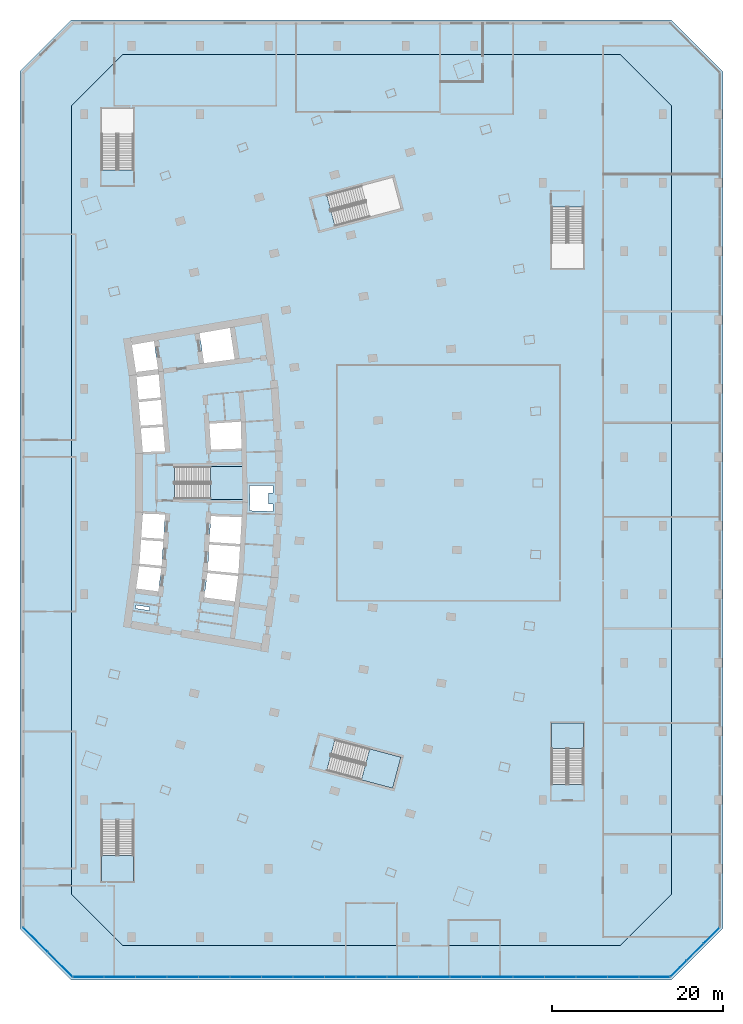
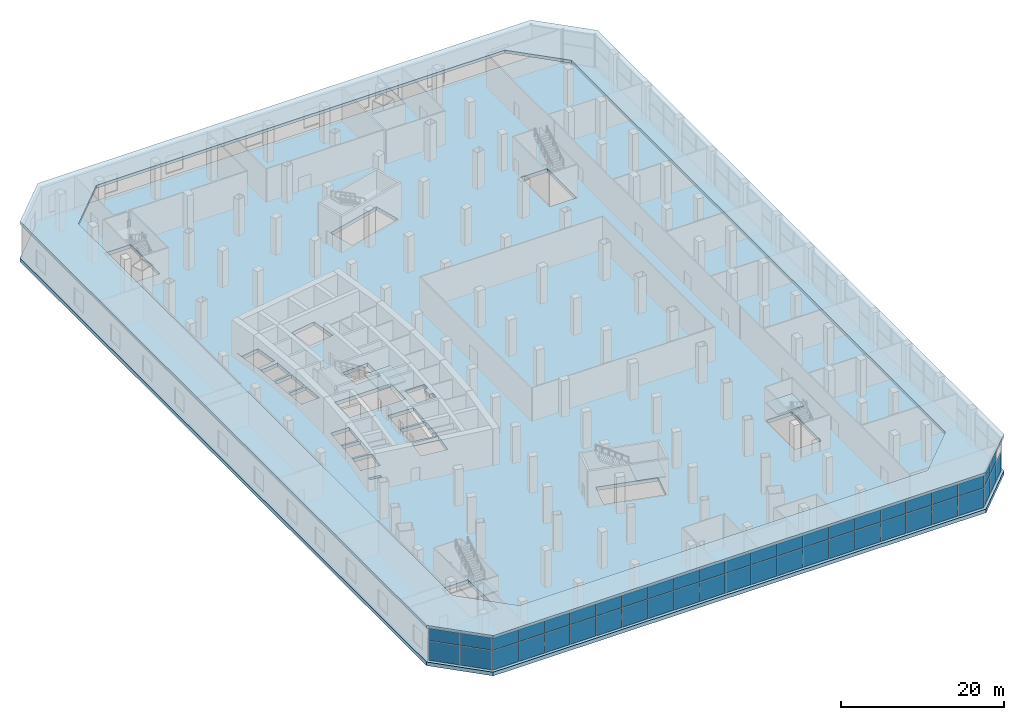
# One storey, part 7 of 26: 47 plates, 6 slabs, 7 elements without a shape of their own.
"""IFC4 building model written with IfcOpenShell, lengths in metres."""

from ifc_helpers import new_model, si_unit, direction, frame, origin, origin_2d, place, context, subcontext, project, spatial, polyline, rectangle, outline, extrude, material, layer, layer_set, type_object, element, aggregate, save


model = new_model("IFC4")

# Units and contexts
model_context = context("Model", 3, precision=1e-05, world=origin(), true_north=direction((0.0, 1.0)))
body_context = subcontext(model_context, "Body", "Model", "MODEL_VIEW")
ifc_project = project(units=[si_unit("LENGTHUNIT", "METRE"), si_unit("AREAUNIT", "SQUARE_METRE"), si_unit("VOLUMEUNIT", "CUBIC_METRE"), si_unit("PLANEANGLEUNIT", "RADIAN"), si_unit("MASSUNIT", "GRAM", prefix="KILO")], contexts=[model_context])

# Site, building, storey
site_placement = place(None, origin())
site = spatial("IfcSite", under=ifc_project, at=site_placement, CompositionType="ELEMENT")
building_placement = place(site_placement, origin())
building = spatial("IfcBuilding", under=site, at=building_placement, Name="Alderwake Tower", CompositionType="ELEMENT")
storey_placement = place(building_placement, frame((0.0, 0.0, 8.0)))
storey = spatial("IfcBuildingStorey", under=building, at=storey_placement, Name="L01", CompositionType="ELEMENT", Elevation=8.0)

# Slabs
ifc_material_1 = material(Name="Concrete C50/60", Category="concrete")
ifc_layer_1 = layer(ifc_material_1, 0.550048828125)
ifc_layer_set_1 = layer_set([ifc_layer_1], Name="Concrete C50/60 post-tensioned flat plate 550")
slab_type_1 = type_object("IfcSlabType", Name="Concrete C50/60 post-tensioned flat plate 550", PredefinedType="FLOOR", material=ifc_layer_set_1)
slab_1_placement = place(storey_placement, frame((0.0, 0.0, -0.550048828125)))
element("IfcSlab", 1, at=slab_1_placement, inside=storey, type_object=slab_type_1, Name="Floor slab L01", PredefinedType="FLOOR", context=body_context, shape_type="SweptSolid", body=[
    extrude(outline(polyline([(3.0, 109.0), (9.0, 115.0), (79.0, 115.0), (85.0, 109.0), (85.0, 9.0), (79.0, 3.0), (9.0, 3.0), (3.0, 9.0), (3.0, 109.0)]), holes=[polyline([(16.25, 14.5), (16.25, 21.68994140625), (12.5, 21.68994140625), (12.5, 14.5), (16.25, 14.5)]), polyline([(16.943359375, 51.26953125), (16.9580078125, 51.4189453125), (16.972900390625, 51.568115234375), (19.525146484375, 51.31591796875), (19.71630859375, 54.164794921875), (17.153564453125, 54.33642578125), (17.16357421875, 54.486083984375), (17.173583984375, 54.6357421875), (19.736083984375, 54.464111328125), (19.92724609375, 57.312744140625), (17.364013671875, 57.403564453125), (17.369140625, 57.553466796875), (17.33935546875, 57.554443359375), (17.1337890625, 54.48828125), (16.927978515625, 51.421875), (16.92822265625, 51.421875), (16.50927734375, 48.377197265625), (16.5390625, 48.373291015625), (16.577880859375, 48.6708984375), (19.138671875, 48.3359375), (19.495361328125, 51.017333984375), (16.943359375, 51.26953125)]), polyline([(29.0, 62.875), (21.050048828125, 62.875), (21.050048828125, 59.125), (29.0, 59.125), (29.0, 62.875)]), polyline([(19.688720703125, 67.53271484375), (17.12548828125, 67.361083984375), (17.115478515625, 67.510498046875), (17.10546875, 67.660400390625), (19.6640625, 67.831787109375), (19.42822265625, 70.674560546875), (16.87646484375, 70.42236328125), (16.86181640625, 70.571533203125), (16.846923828125, 70.720947265625), (19.403564453125, 70.973388671875), (19.179931640625, 73.66943359375), (16.646484375, 73.338134765625), (16.607666015625, 73.635498046875), (16.56884765625, 73.93310546875), (19.111083984375, 74.265625), (18.6240234375, 77.531982421875), (18.919921875, 77.575927734375), (18.916748046875, 77.593994140625), (16.082275390625, 77.10546875), (15.9345703125, 77.9619140625), (15.634765625, 77.908935546875), (15.63525390625, 77.9052734375), (15.9140625, 77.9482421875), (16.57763671875, 73.631591796875), (16.578369140625, 73.626220703125), (16.831787109375, 70.568603515625), (17.085693359375, 67.508544921875), (17.33935546875, 64.4482421875), (17.33935546875, 64.445556640625), (17.369384765625, 64.446533203125), (17.364013671875, 64.596435546875), (19.9248046875, 64.687255859375), (19.688720703125, 67.53271484375)]), polyline([(12.5, 104.699951171875), (12.5, 97.510009765625), (16.25, 97.510009765625), (16.25, 104.699951171875), (12.5, 104.699951171875)]), polyline([(47.436279296875, 28.996826171875), (39.754150390625, 31.043212890625), (38.7890625, 27.41943359375), (46.47119140625, 25.373291015625), (47.436279296875, 28.996826171875)]), polyline([(65.0, 33.0), (65.0, 25.81005859375), (68.75, 25.81005859375), (68.75, 33.0), (65.0, 33.0)]), polyline([(28.4482421875, 50.1328125), (24.87451171875, 50.48583984375), (24.878662109375, 50.52783203125), (24.875, 50.5283203125), (24.48974609375, 47.635986328125), (28.05419921875, 47.169921875), (28.4482421875, 50.1328125)]), polyline([(28.669921875, 53.564453125), (25.080810546875, 53.804931640625), (24.89501953125, 50.731201171875), (24.898681640625, 50.730712890625), (24.904052734375, 50.784423828125), (28.484375, 50.4306640625), (28.669921875, 53.564453125)]), polyline([(28.873291015625, 56.99609375), (25.281494140625, 57.123291015625), (25.09912109375, 54.1044921875), (28.687744140625, 53.864013671875), (28.873291015625, 56.99609375)]), polyline([(28.769287109375, 68.0869140625), (28.764892578125, 68.141357421875), (25.101318359375, 67.895751953125), (25.2822265625, 64.876708984375), (28.83740234375, 65.002685546875), (28.769287109375, 68.0869140625)]), polyline([(27.490966796875, 79.072021484375), (23.932373046875, 78.45849609375), (23.93310546875, 78.454833984375), (23.9443359375, 78.45654296875), (24.4697265625, 74.972412109375), (24.36474609375, 74.95654296875), (24.365478515625, 74.952880859375), (28.0400390625, 75.433349609375), (27.490966796875, 79.072021484375)]), polyline([(65.0, 86.0), (68.75, 86.0), (68.75, 93.18994140625), (65.0, 93.18994140625), (65.0, 86.0)]), polyline([(47.436279296875, 93.003173828125), (46.47119140625, 96.626708984375), (38.7890625, 94.58056640625), (39.754150390625, 90.956787109375), (47.436279296875, 93.003173828125)]), polyline([(18.137451171875, 46.497314453125), (16.534912109375, 46.728759765625), (16.4833984375, 46.355712890625), (18.08544921875, 46.10693359375), (18.137451171875, 46.497314453125)]), polyline([(29.769775390625, 57.7548828125), (32.489990234375, 57.66650390625), (32.489990234375, 58.509033203125), (31.989990234375, 58.509033203125), (31.989990234375, 59.80908203125), (32.489990234375, 59.80908203125), (32.489990234375, 60.675048828125), (29.783447265625, 60.675048828125), (29.826416015625, 58.727294921875), (29.769775390625, 57.7548828125)])]), origin(), (0.0, 0.0, 1.0), 0.550048828125),
])
ifc_material_2 = material(Name="Concrete C50/60", Category="concrete")
ifc_layer_2 = layer(ifc_material_2, 0.449951171875)
ifc_layer_set_2 = layer_set([ifc_layer_2], Name="Concrete C50/60 roof slab 450")
slab_type_2 = type_object("IfcSlabType", Name="Concrete C50/60 roof slab 450", PredefinedType="ROOF", material=ifc_layer_set_2)
slab_2_placement = place(storey_placement, frame((0.0, 0.0, 5.050048828125)))
element("IfcSlab", 2, at=slab_2_placement, inside=storey, type_object=slab_type_2, Name="Roof slab L01 1", PredefinedType="ROOF", context=body_context, shape_type="SweptSolid", body=[
    extrude(outline(polyline([(3.0, 109.0), (9.0, 115.0), (79.0, 115.0), (85.0, 109.0), (85.0, 9.0), (79.0, 3.0), (9.0, 3.0), (3.0, 9.0), (3.0, 109.0)]), holes=[polyline([(79.0, 13.0), (79.0, 105.0), (73.0, 111.0), (15.0, 111.0), (9.0, 105.0), (9.0, 13.0), (15.0, 7.0), (73.0, 7.0), (79.0, 13.0)])]), origin(), (0.0, 0.0, 1.0), 0.449951171875),
])

# Stair, slab
ifc_material_3 = material(Name="Concrete C40/50", Category="concrete")
stair_type_1 = type_object("IfcStairType", Name="Core exit stair", PredefinedType="HALF_TURN_STAIR", material=ifc_material_3)
stair_1_placement = place(storey_placement, origin())
stair_1 = element("IfcStair", 3, at=stair_1_placement, inside=storey, type_object=stair_type_1, Name="L01 Exit Stair B", PredefinedType="HALF_TURN_STAIR")
ifc_material_4 = material(Name="Concrete C40/50", Category="concrete")
ifc_layer_3 = layer(ifc_material_4, 0.199951171875)
ifc_layer_set_3 = layer_set([ifc_layer_3], Name="Core stair landing 200")
slab_type_3 = type_object("IfcSlabType", Name="Core stair landing 200", PredefinedType="LANDING", material=ifc_layer_set_3)
slab_3_placement = place(storey_placement, frame((0.0, 0.0, 2.550048828125)))
slab_3 = element("IfcSlab", 4, at=slab_3_placement, type_object=slab_type_3, Name="ST-B landing 1", PredefinedType="LANDING", context=body_context, shape_type="SweptSolid", body=[
    extrude(outline(polyline([(25.22998046875, 59.074951171875), (29.0, 59.074951171875), (29.0, 62.925048828125), (25.22998046875, 62.925048828125), (25.22998046875, 59.074951171875)])), origin(), (0.0, 0.0, 1.0), 0.199951171875),
])
aggregate(stair_1, [slab_3])

stair_2_placement = place(storey_placement, origin())
stair_2 = element("IfcStair", 5, at=stair_2_placement, inside=storey, type_object=stair_type_1, Name="L01 Exit Stair C", PredefinedType="HALF_TURN_STAIR")
slab_4_placement = place(storey_placement, frame((0.0, 0.0, 2.550048828125)))
slab_4 = element("IfcSlab", 6, at=slab_4_placement, type_object=slab_type_3, Name="ST-C landing 1", PredefinedType="LANDING", context=body_context, shape_type="SweptSolid", body=[
    extrude(outline(polyline([(42.828125, 26.343505859375), (46.47119140625, 25.373291015625), (47.436279296875, 28.996826171875), (43.79345703125, 29.96728515625), (42.828125, 26.343505859375)])), origin(), (0.0, 0.0, 1.0), 0.199951171875),
])
aggregate(stair_2, [slab_4])

ifc_material_5 = material(Name="Concrete C40/50", Category="concrete")
stair_type_2 = type_object("IfcStairType", Name="Exit stair 1800 half-turn", PredefinedType="HALF_TURN_STAIR", material=ifc_material_5)
stair_3_placement = place(storey_placement, origin())
stair_3 = element("IfcStair", 7, at=stair_3_placement, inside=storey, type_object=stair_type_2, Name="L01 Podium stair P1", PredefinedType="HALF_TURN_STAIR")
slab_5_placement = place(storey_placement, frame((0.0, 0.0, 2.550048828125)))
slab_5 = element("IfcSlab", 8, at=slab_5_placement, type_object=slab_type_3, Name="ST-P1 landing 1", PredefinedType="LANDING", context=body_context, shape_type="SweptSolid", body=[
    extrude(outline(polyline([(12.5, 17.510009765625), (12.5, 14.5), (16.25, 14.5), (16.25, 17.510009765625), (12.5, 17.510009765625)])), origin(), (0.0, 0.0, 1.0), 0.199951171875),
])
aggregate(stair_3, [slab_5])

stair_4_placement = place(storey_placement, origin())
stair_4 = element("IfcStair", 9, at=stair_4_placement, inside=storey, type_object=stair_type_2, Name="L01 Podium stair P4", PredefinedType="HALF_TURN_STAIR")
slab_6_placement = place(storey_placement, frame((0.0, 0.0, 2.550048828125)))
slab_6 = element("IfcSlab", 10, at=slab_6_placement, type_object=slab_type_3, Name="ST-P4 landing 1", PredefinedType="LANDING", context=body_context, shape_type="SweptSolid", body=[
    extrude(outline(polyline([(68.75, 29.989990234375), (68.75, 33.0), (65.0, 33.0), (65.0, 29.989990234375), (68.75, 29.989990234375)])), origin(), (0.0, 0.0, 1.0), 0.199951171875),
])
aggregate(stair_4, [slab_6])

# Curtain wall, plates
ifc_material_6 = material(Name="Bronze tinted glass in aluminium frame", Category="aluminium")
ifc_layer_4 = layer(ifc_material_6, 0.25)
ifc_layer_set_4 = layer_set([ifc_layer_4], Name="Curtain wall CW1 podium shopfront")
curtain_wall_type_1 = type_object("IfcCurtainWallType", Name="Curtain wall CW1 podium shopfront", PredefinedType="NOTDEFINED", material=ifc_layer_set_4)
curtain_wall_1_placement = place(storey_placement, origin())
curtain_wall_1 = element("IfcCurtainWall", 11, at=curtain_wall_1_placement, inside=storey, type_object=curtain_wall_type_1, Name="Curtain wall 1", PredefinedType="NOTDEFINED")
ifc_material_7 = material(Name="Bronze tinted glass in aluminium frame", Category="aluminium")
ifc_layer_5 = layer(ifc_material_7, 0.028076171875)
ifc_layer_set_5 = layer_set([ifc_layer_5], Name="Glass panel GPA 28")
plate_type_1 = type_object("IfcPlateType", Name="Glass panel GPA 28", PredefinedType="CURTAIN_PANEL", material=ifc_layer_set_5)
plate_1_placement = place(storey_placement, frame((10.994873046875, 3.35009765625, 0.06005859375), z_axis=(0.0, 0.0, 1.0), x_axis=(1.0, 0.0, 0.0)))
plate_1 = element("IfcPlate", 12, at=plate_1_placement, type_object=plate_type_1, Name="CW.01 panel 1.1", PredefinedType="CURTAIN_PANEL", context=body_context, shape_type="SweptSolid", body=[
    extrude(rectangle(XDim=3.579833984375, YDim=0.028076171875, at=origin_2d()), origin(), (0.0, 0.0, 1.0), 2.909912109375),
])
plate_2_placement = place(storey_placement, frame((10.994873046875, 3.35009765625, 3.030029296875), z_axis=(0.0, 0.0, 1.0), x_axis=(1.0, 0.0, 0.0)))
plate_2 = element("IfcPlate", 13, at=plate_2_placement, type_object=plate_type_1, Name="CW.01 panel 1.2", PredefinedType="CURTAIN_PANEL", context=body_context, shape_type="SweptSolid", body=[
    extrude(rectangle(XDim=3.579833984375, YDim=0.028076171875, at=origin_2d()), origin(), (0.0, 0.0, 1.0), 1.9599609375),
])
plate_3_placement = place(storey_placement, frame((14.649658203125, 3.35009765625, 0.06005859375), z_axis=(0.0, 0.0, 1.0), x_axis=(1.0, 0.0, 0.0)))
plate_3 = element("IfcPlate", 14, at=plate_3_placement, type_object=plate_type_1, Name="CW.01 panel 2.1", PredefinedType="CURTAIN_PANEL", context=body_context, shape_type="SweptSolid", body=[
    extrude(rectangle(XDim=3.609619140625, YDim=0.028076171875, at=origin_2d()), origin(), (0.0, 0.0, 1.0), 2.909912109375),
])
plate_4_placement = place(storey_placement, frame((14.649658203125, 3.35009765625, 3.030029296875), z_axis=(0.0, 0.0, 1.0), x_axis=(1.0, 0.0, 0.0)))
plate_4 = element("IfcPlate", 15, at=plate_4_placement, type_object=plate_type_1, Name="CW.01 panel 2.2", PredefinedType="CURTAIN_PANEL", context=body_context, shape_type="SweptSolid", body=[
    extrude(rectangle(XDim=3.609619140625, YDim=0.028076171875, at=origin_2d()), origin(), (0.0, 0.0, 1.0), 1.9599609375),
])
plate_5_placement = place(storey_placement, frame((18.3193359375, 3.35009765625, 0.06005859375), z_axis=(0.0, 0.0, 1.0), x_axis=(1.0, 0.0, 0.0)))
plate_5 = element("IfcPlate", 16, at=plate_5_placement, type_object=plate_type_1, Name="CW.01 panel 3.1", PredefinedType="CURTAIN_PANEL", context=body_context, shape_type="SweptSolid", body=[
    extrude(rectangle(XDim=3.609619140625, YDim=0.028076171875, at=origin_2d()), origin(), (0.0, 0.0, 1.0), 2.909912109375),
])
plate_6_placement = place(storey_placement, frame((18.3193359375, 3.35009765625, 3.030029296875), z_axis=(0.0, 0.0, 1.0), x_axis=(1.0, 0.0, 0.0)))
plate_6 = element("IfcPlate", 17, at=plate_6_placement, type_object=plate_type_1, Name="CW.01 panel 3.2", PredefinedType="CURTAIN_PANEL", context=body_context, shape_type="SweptSolid", body=[
    extrude(rectangle(XDim=3.609619140625, YDim=0.028076171875, at=origin_2d()), origin(), (0.0, 0.0, 1.0), 1.9599609375),
])
plate_7_placement = place(storey_placement, frame((21.989013671875, 3.35009765625, 0.06005859375), z_axis=(0.0, 0.0, 1.0), x_axis=(1.0, 0.0, 0.0)))
plate_7 = element("IfcPlate", 18, at=plate_7_placement, type_object=plate_type_1, Name="CW.01 panel 4.1", PredefinedType="CURTAIN_PANEL", context=body_context, shape_type="SweptSolid", body=[
    extrude(rectangle(XDim=3.609619140625, YDim=0.028076171875, at=origin_2d()), origin(), (0.0, 0.0, 1.0), 2.909912109375),
])
plate_8_placement = place(storey_placement, frame((21.989013671875, 3.35009765625, 3.030029296875), z_axis=(0.0, 0.0, 1.0), x_axis=(1.0, 0.0, 0.0)))
plate_8 = element("IfcPlate", 19, at=plate_8_placement, type_object=plate_type_1, Name="CW.01 panel 4.2", PredefinedType="CURTAIN_PANEL", context=body_context, shape_type="SweptSolid", body=[
    extrude(rectangle(XDim=3.609619140625, YDim=0.028076171875, at=origin_2d()), origin(), (0.0, 0.0, 1.0), 1.9599609375),
])
plate_9_placement = place(storey_placement, frame((25.658935546875, 3.35009765625, 0.06005859375), z_axis=(0.0, 0.0, 1.0), x_axis=(1.0, 0.0, 0.0)))
plate_9 = element("IfcPlate", 20, at=plate_9_placement, type_object=plate_type_1, Name="CW.01 panel 5.1", PredefinedType="CURTAIN_PANEL", context=body_context, shape_type="SweptSolid", body=[
    extrude(rectangle(XDim=3.609619140625, YDim=0.028076171875, at=origin_2d()), origin(), (0.0, 0.0, 1.0), 2.909912109375),
])
plate_10_placement = place(storey_placement, frame((25.658935546875, 3.35009765625, 3.030029296875), z_axis=(0.0, 0.0, 1.0), x_axis=(1.0, 0.0, 0.0)))
plate_10 = element("IfcPlate", 21, at=plate_10_placement, type_object=plate_type_1, Name="CW.01 panel 5.2", PredefinedType="CURTAIN_PANEL", context=body_context, shape_type="SweptSolid", body=[
    extrude(rectangle(XDim=3.609619140625, YDim=0.028076171875, at=origin_2d()), origin(), (0.0, 0.0, 1.0), 1.9599609375),
])
plate_11_placement = place(storey_placement, frame((29.32861328125, 3.35009765625, 0.06005859375), z_axis=(0.0, 0.0, 1.0), x_axis=(1.0, 0.0, 0.0)))
plate_11 = element("IfcPlate", 22, at=plate_11_placement, type_object=plate_type_1, Name="CW.01 panel 6.1", PredefinedType="CURTAIN_PANEL", context=body_context, shape_type="SweptSolid", body=[
    extrude(rectangle(XDim=3.609619140625, YDim=0.028076171875, at=origin_2d()), origin(), (0.0, 0.0, 1.0), 2.909912109375),
])
plate_12_placement = place(storey_placement, frame((29.32861328125, 3.35009765625, 3.030029296875), z_axis=(0.0, 0.0, 1.0), x_axis=(1.0, 0.0, 0.0)))
plate_12 = element("IfcPlate", 23, at=plate_12_placement, type_object=plate_type_1, Name="CW.01 panel 6.2", PredefinedType="CURTAIN_PANEL", context=body_context, shape_type="SweptSolid", body=[
    extrude(rectangle(XDim=3.609619140625, YDim=0.028076171875, at=origin_2d()), origin(), (0.0, 0.0, 1.0), 1.9599609375),
])
plate_13_placement = place(storey_placement, frame((32.998291015625, 3.35009765625, 0.06005859375), z_axis=(0.0, 0.0, 1.0), x_axis=(1.0, 0.0, 0.0)))
plate_13 = element("IfcPlate", 24, at=plate_13_placement, type_object=plate_type_1, Name="CW.01 panel 7.1", PredefinedType="CURTAIN_PANEL", context=body_context, shape_type="SweptSolid", body=[
    extrude(rectangle(XDim=3.609619140625, YDim=0.028076171875, at=origin_2d()), origin(), (0.0, 0.0, 1.0), 2.909912109375),
])
plate_14_placement = place(storey_placement, frame((32.998291015625, 3.35009765625, 3.030029296875), z_axis=(0.0, 0.0, 1.0), x_axis=(1.0, 0.0, 0.0)))
plate_14 = element("IfcPlate", 25, at=plate_14_placement, type_object=plate_type_1, Name="CW.01 panel 7.2", PredefinedType="CURTAIN_PANEL", context=body_context, shape_type="SweptSolid", body=[
    extrude(rectangle(XDim=3.609619140625, YDim=0.028076171875, at=origin_2d()), origin(), (0.0, 0.0, 1.0), 1.9599609375),
])
plate_15_placement = place(storey_placement, frame((36.66796875, 3.35009765625, 0.06005859375), z_axis=(0.0, 0.0, 1.0), x_axis=(1.0, 0.0, 0.0)))
plate_15 = element("IfcPlate", 26, at=plate_15_placement, type_object=plate_type_1, Name="CW.01 panel 8.1", PredefinedType="CURTAIN_PANEL", context=body_context, shape_type="SweptSolid", body=[
    extrude(rectangle(XDim=3.609619140625, YDim=0.028076171875, at=origin_2d()), origin(), (0.0, 0.0, 1.0), 2.909912109375),
])
plate_16_placement = place(storey_placement, frame((36.66796875, 3.35009765625, 3.030029296875), z_axis=(0.0, 0.0, 1.0), x_axis=(1.0, 0.0, 0.0)))
plate_16 = element("IfcPlate", 27, at=plate_16_placement, type_object=plate_type_1, Name="CW.01 panel 8.2", PredefinedType="CURTAIN_PANEL", context=body_context, shape_type="SweptSolid", body=[
    extrude(rectangle(XDim=3.609619140625, YDim=0.028076171875, at=origin_2d()), origin(), (0.0, 0.0, 1.0), 1.9599609375),
])
plate_17_placement = place(storey_placement, frame((40.337646484375, 3.35009765625, 0.06005859375), z_axis=(0.0, 0.0, 1.0), x_axis=(1.0, 0.0, 0.0)))
plate_17 = element("IfcPlate", 28, at=plate_17_placement, type_object=plate_type_1, Name="CW.01 panel 9.1", PredefinedType="CURTAIN_PANEL", context=body_context, shape_type="SweptSolid", body=[
    extrude(rectangle(XDim=3.609619140625, YDim=0.028076171875, at=origin_2d()), origin(), (0.0, 0.0, 1.0), 2.909912109375),
])
plate_18_placement = place(storey_placement, frame((40.337646484375, 3.35009765625, 3.030029296875), z_axis=(0.0, 0.0, 1.0), x_axis=(1.0, 0.0, 0.0)))
plate_18 = element("IfcPlate", 29, at=plate_18_placement, type_object=plate_type_1, Name="CW.01 panel 9.2", PredefinedType="CURTAIN_PANEL", context=body_context, shape_type="SweptSolid", body=[
    extrude(rectangle(XDim=3.609619140625, YDim=0.028076171875, at=origin_2d()), origin(), (0.0, 0.0, 1.0), 1.9599609375),
])
plate_19_placement = place(storey_placement, frame((44.007568359375, 3.35009765625, 0.06005859375), z_axis=(0.0, 0.0, 1.0), x_axis=(1.0, 0.0, 0.0)))
plate_19 = element("IfcPlate", 30, at=plate_19_placement, type_object=plate_type_1, Name="CW.01 panel 10.1", PredefinedType="CURTAIN_PANEL", context=body_context, shape_type="SweptSolid", body=[
    extrude(rectangle(XDim=3.609619140625, YDim=0.028076171875, at=origin_2d()), origin(), (0.0, 0.0, 1.0), 2.909912109375),
])
plate_20_placement = place(storey_placement, frame((44.007568359375, 3.35009765625, 3.030029296875), z_axis=(0.0, 0.0, 1.0), x_axis=(1.0, 0.0, 0.0)))
plate_20 = element("IfcPlate", 31, at=plate_20_placement, type_object=plate_type_1, Name="CW.01 panel 10.2", PredefinedType="CURTAIN_PANEL", context=body_context, shape_type="SweptSolid", body=[
    extrude(rectangle(XDim=3.609619140625, YDim=0.028076171875, at=origin_2d()), origin(), (0.0, 0.0, 1.0), 1.9599609375),
])
plate_21_placement = place(storey_placement, frame((47.67724609375, 3.35009765625, 0.06005859375), z_axis=(0.0, 0.0, 1.0), x_axis=(1.0, 0.0, 0.0)))
plate_21 = element("IfcPlate", 32, at=plate_21_placement, type_object=plate_type_1, Name="CW.01 panel 11.1", PredefinedType="CURTAIN_PANEL", context=body_context, shape_type="SweptSolid", body=[
    extrude(rectangle(XDim=3.609619140625, YDim=0.028076171875, at=origin_2d()), origin(), (0.0, 0.0, 1.0), 2.909912109375),
])
plate_22_placement = place(storey_placement, frame((47.67724609375, 3.35009765625, 3.030029296875), z_axis=(0.0, 0.0, 1.0), x_axis=(1.0, 0.0, 0.0)))
plate_22 = element("IfcPlate", 33, at=plate_22_placement, type_object=plate_type_1, Name="CW.01 panel 11.2", PredefinedType="CURTAIN_PANEL", context=body_context, shape_type="SweptSolid", body=[
    extrude(rectangle(XDim=3.609619140625, YDim=0.028076171875, at=origin_2d()), origin(), (0.0, 0.0, 1.0), 1.9599609375),
])
plate_23_placement = place(storey_placement, frame((51.346923828125, 3.35009765625, 0.06005859375), z_axis=(0.0, 0.0, 1.0), x_axis=(1.0, 0.0, 0.0)))
plate_23 = element("IfcPlate", 34, at=plate_23_placement, type_object=plate_type_1, Name="CW.01 panel 12.1", PredefinedType="CURTAIN_PANEL", context=body_context, shape_type="SweptSolid", body=[
    extrude(rectangle(XDim=3.609619140625, YDim=0.028076171875, at=origin_2d()), origin(), (0.0, 0.0, 1.0), 2.909912109375),
])
plate_24_placement = place(storey_placement, frame((51.346923828125, 3.35009765625, 3.030029296875), z_axis=(0.0, 0.0, 1.0), x_axis=(1.0, 0.0, 0.0)))
plate_24 = element("IfcPlate", 35, at=plate_24_placement, type_object=plate_type_1, Name="CW.01 panel 12.2", PredefinedType="CURTAIN_PANEL", context=body_context, shape_type="SweptSolid", body=[
    extrude(rectangle(XDim=3.609619140625, YDim=0.028076171875, at=origin_2d()), origin(), (0.0, 0.0, 1.0), 1.9599609375),
])
plate_25_placement = place(storey_placement, frame((55.0166015625, 3.35009765625, 0.06005859375), z_axis=(0.0, 0.0, 1.0), x_axis=(1.0, 0.0, 0.0)))
plate_25 = element("IfcPlate", 36, at=plate_25_placement, type_object=plate_type_1, Name="CW.01 panel 13.1", PredefinedType="CURTAIN_PANEL", context=body_context, shape_type="SweptSolid", body=[
    extrude(rectangle(XDim=3.609619140625, YDim=0.028076171875, at=origin_2d()), origin(), (0.0, 0.0, 1.0), 2.909912109375),
])
plate_26_placement = place(storey_placement, frame((55.0166015625, 3.35009765625, 3.030029296875), z_axis=(0.0, 0.0, 1.0), x_axis=(1.0, 0.0, 0.0)))
plate_26 = element("IfcPlate", 37, at=plate_26_placement, type_object=plate_type_1, Name="CW.01 panel 13.2", PredefinedType="CURTAIN_PANEL", context=body_context, shape_type="SweptSolid", body=[
    extrude(rectangle(XDim=3.609619140625, YDim=0.028076171875, at=origin_2d()), origin(), (0.0, 0.0, 1.0), 1.9599609375),
])
plate_27_placement = place(storey_placement, frame((58.6865234375, 3.35009765625, 0.06005859375), z_axis=(0.0, 0.0, 1.0), x_axis=(1.0, 0.0, 0.0)))
plate_27 = element("IfcPlate", 38, at=plate_27_placement, type_object=plate_type_1, Name="CW.01 panel 14.1", PredefinedType="CURTAIN_PANEL", context=body_context, shape_type="SweptSolid", body=[
    extrude(rectangle(XDim=3.609619140625, YDim=0.028076171875, at=origin_2d()), origin(), (0.0, 0.0, 1.0), 2.909912109375),
])
plate_28_placement = place(storey_placement, frame((58.6865234375, 3.35009765625, 3.030029296875), z_axis=(0.0, 0.0, 1.0), x_axis=(1.0, 0.0, 0.0)))
plate_28 = element("IfcPlate", 39, at=plate_28_placement, type_object=plate_type_1, Name="CW.01 panel 14.2", PredefinedType="CURTAIN_PANEL", context=body_context, shape_type="SweptSolid", body=[
    extrude(rectangle(XDim=3.609619140625, YDim=0.028076171875, at=origin_2d()), origin(), (0.0, 0.0, 1.0), 1.9599609375),
])
plate_29_placement = place(storey_placement, frame((62.356201171875, 3.35009765625, 0.06005859375), z_axis=(0.0, 0.0, 1.0), x_axis=(1.0, 0.0, 0.0)))
plate_29 = element("IfcPlate", 40, at=plate_29_placement, type_object=plate_type_1, Name="CW.01 panel 15.1", PredefinedType="CURTAIN_PANEL", context=body_context, shape_type="SweptSolid", body=[
    extrude(rectangle(XDim=3.609619140625, YDim=0.028076171875, at=origin_2d()), origin(), (0.0, 0.0, 1.0), 2.909912109375),
])
plate_30_placement = place(storey_placement, frame((62.356201171875, 3.35009765625, 3.030029296875), z_axis=(0.0, 0.0, 1.0), x_axis=(1.0, 0.0, 0.0)))
plate_30 = element("IfcPlate", 41, at=plate_30_placement, type_object=plate_type_1, Name="CW.01 panel 15.2", PredefinedType="CURTAIN_PANEL", context=body_context, shape_type="SweptSolid", body=[
    extrude(rectangle(XDim=3.609619140625, YDim=0.028076171875, at=origin_2d()), origin(), (0.0, 0.0, 1.0), 1.9599609375),
])
plate_31_placement = place(storey_placement, frame((66.02587890625, 3.35009765625, 0.06005859375), z_axis=(0.0, 0.0, 1.0), x_axis=(1.0, 0.0, 0.0)))
plate_31 = element("IfcPlate", 42, at=plate_31_placement, type_object=plate_type_1, Name="CW.01 panel 16.1", PredefinedType="CURTAIN_PANEL", context=body_context, shape_type="SweptSolid", body=[
    extrude(rectangle(XDim=3.609619140625, YDim=0.028076171875, at=origin_2d()), origin(), (0.0, 0.0, 1.0), 2.909912109375),
])
plate_32_placement = place(storey_placement, frame((66.02587890625, 3.35009765625, 3.030029296875), z_axis=(0.0, 0.0, 1.0), x_axis=(1.0, 0.0, 0.0)))
plate_32 = element("IfcPlate", 43, at=plate_32_placement, type_object=plate_type_1, Name="CW.01 panel 16.2", PredefinedType="CURTAIN_PANEL", context=body_context, shape_type="SweptSolid", body=[
    extrude(rectangle(XDim=3.609619140625, YDim=0.028076171875, at=origin_2d()), origin(), (0.0, 0.0, 1.0), 1.9599609375),
])
plate_33_placement = place(storey_placement, frame((69.695556640625, 3.35009765625, 0.06005859375), z_axis=(0.0, 0.0, 1.0), x_axis=(1.0, 0.0, 0.0)))
plate_33 = element("IfcPlate", 44, at=plate_33_placement, type_object=plate_type_1, Name="CW.01 panel 17.1", PredefinedType="CURTAIN_PANEL", context=body_context, shape_type="SweptSolid", body=[
    extrude(rectangle(XDim=3.609619140625, YDim=0.028076171875, at=origin_2d()), origin(), (0.0, 0.0, 1.0), 2.909912109375),
])
plate_34_placement = place(storey_placement, frame((69.695556640625, 3.35009765625, 3.030029296875), z_axis=(0.0, 0.0, 1.0), x_axis=(1.0, 0.0, 0.0)))
plate_34 = element("IfcPlate", 45, at=plate_34_placement, type_object=plate_type_1, Name="CW.01 panel 17.2", PredefinedType="CURTAIN_PANEL", context=body_context, shape_type="SweptSolid", body=[
    extrude(rectangle(XDim=3.609619140625, YDim=0.028076171875, at=origin_2d()), origin(), (0.0, 0.0, 1.0), 1.9599609375),
])
plate_35_placement = place(storey_placement, frame((73.365478515625, 3.35009765625, 0.06005859375), z_axis=(0.0, 0.0, 1.0), x_axis=(1.0, 0.0, 0.0)))
plate_35 = element("IfcPlate", 46, at=plate_35_placement, type_object=plate_type_1, Name="CW.01 panel 18.1", PredefinedType="CURTAIN_PANEL", context=body_context, shape_type="SweptSolid", body=[
    extrude(rectangle(XDim=3.609619140625, YDim=0.028076171875, at=origin_2d()), origin(), (0.0, 0.0, 1.0), 2.909912109375),
])
plate_36_placement = place(storey_placement, frame((73.365478515625, 3.35009765625, 3.030029296875), z_axis=(0.0, 0.0, 1.0), x_axis=(1.0, 0.0, 0.0)))
plate_36 = element("IfcPlate", 47, at=plate_36_placement, type_object=plate_type_1, Name="CW.01 panel 18.2", PredefinedType="CURTAIN_PANEL", context=body_context, shape_type="SweptSolid", body=[
    extrude(rectangle(XDim=3.609619140625, YDim=0.028076171875, at=origin_2d()), origin(), (0.0, 0.0, 1.0), 1.9599609375),
])
plate_37_placement = place(storey_placement, frame((77.02001953125, 3.35009765625, 0.06005859375), z_axis=(0.0, 0.0, 1.0), x_axis=(1.0, 0.0, 0.0)))
plate_37 = element("IfcPlate", 48, at=plate_37_placement, type_object=plate_type_1, Name="CW.01 panel 19.1", PredefinedType="CURTAIN_PANEL", context=body_context, shape_type="SweptSolid", body=[
    extrude(rectangle(XDim=3.579833984375, YDim=0.028076171875, at=origin_2d()), origin(), (0.0, 0.0, 1.0), 2.909912109375),
])
plate_38_placement = place(storey_placement, frame((77.02001953125, 3.35009765625, 3.030029296875), z_axis=(0.0, 0.0, 1.0), x_axis=(1.0, 0.0, 0.0)))
plate_38 = element("IfcPlate", 49, at=plate_38_placement, type_object=plate_type_1, Name="CW.01 panel 19.2", PredefinedType="CURTAIN_PANEL", context=body_context, shape_type="SweptSolid", body=[
    extrude(rectangle(XDim=3.579833984375, YDim=0.028076171875, at=origin_2d()), origin(), (0.0, 0.0, 1.0), 1.9599609375),
])
aggregate(curtain_wall_1, [plate_1, plate_2, plate_3, plate_4, plate_5, plate_6, plate_7, plate_8, plate_9, plate_10, plate_11, plate_12, plate_13, plate_14, plate_15, plate_16, plate_17, plate_18, plate_19, plate_20, plate_21, plate_22, plate_23, plate_24, plate_25, plate_26, plate_27, plate_28, plate_29, plate_30, plate_31, plate_32, plate_33, plate_34, plate_35, plate_36, plate_37, plate_38])

curtain_wall_2_placement = place(storey_placement, origin())
curtain_wall_2 = element("IfcCurtainWall", 50, at=curtain_wall_2_placement, inside=storey, type_object=curtain_wall_type_1, Name="Curtain wall 17", PredefinedType="NOTDEFINED")
plate_39_placement = place(storey_placement, frame((4.81201171875, 7.68310546875, 0.06005859375), z_axis=(0.0, 0.0, 1.0), x_axis=(0.707106781187, -0.707106781187, 0.0)))
plate_39 = element("IfcPlate", 51, at=plate_39_placement, type_object=plate_type_1, Name="CW.17 panel 1.1", PredefinedType="CURTAIN_PANEL", context=body_context, shape_type="SweptSolid", body=[
    extrude(rectangle(XDim=4.01513671875, YDim=0.028076171875, at=origin_2d()), origin(), (0.0, 0.0, 1.0), 2.909912109375),
])
plate_40_placement = place(storey_placement, frame((4.81201171875, 7.68310546875, 3.030029296875), z_axis=(0.0, 0.0, 1.0), x_axis=(0.707106781187, -0.707106781187, 0.0)))
plate_40 = element("IfcPlate", 52, at=plate_40_placement, type_object=plate_type_1, Name="CW.17 panel 1.2", PredefinedType="CURTAIN_PANEL", context=body_context, shape_type="SweptSolid", body=[
    extrude(rectangle(XDim=4.01513671875, YDim=0.028076171875, at=origin_2d()), origin(), (0.0, 0.0, 1.0), 1.9599609375),
])
plate_41_placement = place(storey_placement, frame((7.693603515625, 4.801513671875, 0.06005859375), z_axis=(0.0, 0.0, 1.0), x_axis=(0.707106781187, -0.707106781187, 0.0)))
plate_41 = element("IfcPlate", 53, at=plate_41_placement, type_object=plate_type_1, Name="CW.17 panel 2.1", PredefinedType="CURTAIN_PANEL", context=body_context, shape_type="SweptSolid", body=[
    extrude(rectangle(XDim=4.01513671875, YDim=0.028076171875, at=origin_2d()), origin(), (0.0, 0.0, 1.0), 2.909912109375),
])
plate_42_placement = place(storey_placement, frame((7.693603515625, 4.801513671875, 3.030029296875), z_axis=(0.0, 0.0, 1.0), x_axis=(0.707106781187, -0.707106781187, 0.0)))
plate_42 = element("IfcPlate", 54, at=plate_42_placement, type_object=plate_type_1, Name="CW.17 panel 2.2", PredefinedType="CURTAIN_PANEL", context=body_context, shape_type="SweptSolid", body=[
    extrude(rectangle(XDim=4.01513671875, YDim=0.028076171875, at=origin_2d()), origin(), (0.0, 0.0, 1.0), 1.9599609375),
])
aggregate(curtain_wall_2, [plate_39, plate_40, plate_41, plate_42])

ifc_material_8 = material(Name="Bronze tinted glass in aluminium frame", Category="aluminium")
ifc_layer_6 = layer(ifc_material_8, 0.300048828125)
ifc_layer_set_6 = layer_set([ifc_layer_6], Name="Curtain wall CW2 station concourse wall")
curtain_wall_type_2 = type_object("IfcCurtainWallType", Name="Curtain wall CW2 station concourse wall", PredefinedType="NOTDEFINED", material=ifc_layer_set_6)
curtain_wall_3_placement = place(storey_placement, origin())
curtain_wall_3 = element("IfcCurtainWall", 55, at=curtain_wall_3_placement, inside=storey, type_object=curtain_wall_type_2, Name="Curtain wall 2", PredefinedType="NOTDEFINED")
ifc_material_9 = material(Name="Bronze tinted glass in aluminium frame", Category="aluminium")
ifc_layer_7 = layer(ifc_material_9, 0.031982421875)
ifc_layer_set_7 = layer_set([ifc_layer_7], Name="Glass panel GPB 32")
plate_type_2 = type_object("IfcPlateType", Name="Glass panel GPB 32", PredefinedType="CURTAIN_PANEL", material=ifc_layer_set_7)
plate_43_placement = place(storey_placement, frame((79.836669921875, 4.331787109375, 0.080078125), z_axis=(0.0, 0.0, 1.0), x_axis=(0.707106781187, 0.707106781187, 0.0)))
plate_43 = element("IfcPlate", 56, at=plate_43_placement, type_object=plate_type_2, Name="CW.02 panel 1.1", PredefinedType="CURTAIN_PANEL", context=body_context, shape_type="SweptSolid", body=[
    extrude(rectangle(XDim=2.61669921875, YDim=0.031982421875, at=origin_2d()), origin(), (0.0, 0.0, 1.0), 2.8798828125),
])
plate_44_placement = place(storey_placement, frame((79.836669921875, 4.331787109375, 3.0400390625), z_axis=(0.0, 0.0, 1.0), x_axis=(0.707106781187, 0.707106781187, 0.0)))
plate_44 = element("IfcPlate", 57, at=plate_44_placement, type_object=plate_type_2, Name="CW.02 panel 1.2", PredefinedType="CURTAIN_PANEL", context=body_context, shape_type="SweptSolid", body=[
    extrude(rectangle(XDim=2.61669921875, YDim=0.031982421875, at=origin_2d()), origin(), (0.0, 0.0, 1.0), 1.929931640625),
])
plate_45_placement = place(storey_placement, frame((81.7578125, 6.252685546875, 0.080078125), z_axis=(0.0, 0.0, 1.0), x_axis=(0.707106781187, 0.707106781187, 0.0)))
plate_45 = element("IfcPlate", 58, at=plate_45_placement, type_object=plate_type_2, Name="CW.02 panel 2.1", PredefinedType="CURTAIN_PANEL", context=body_context, shape_type="SweptSolid", body=[
    extrude(rectangle(XDim=2.65673828125, YDim=0.031982421875, at=origin_2d()), origin(), (0.0, 0.0, 1.0), 2.8798828125),
])
plate_46_placement = place(storey_placement, frame((81.7578125, 6.252685546875, 3.0400390625), z_axis=(0.0, 0.0, 1.0), x_axis=(0.707106781187, 0.707106781187, 0.0)))
plate_46 = element("IfcPlate", 59, at=plate_46_placement, type_object=plate_type_2, Name="CW.02 panel 2.2", PredefinedType="CURTAIN_PANEL", context=body_context, shape_type="SweptSolid", body=[
    extrude(rectangle(XDim=2.65673828125, YDim=0.031982421875, at=origin_2d()), origin(), (0.0, 0.0, 1.0), 1.929931640625),
])
plate_47_placement = place(storey_placement, frame((83.678955078125, 8.173828125, 0.080078125), z_axis=(0.0, 0.0, 1.0), x_axis=(0.707106781187, 0.707106781187, 0.0)))
plate_47 = element("IfcPlate", 60, at=plate_47_placement, type_object=plate_type_2, Name="CW.02 panel 3.1", PredefinedType="CURTAIN_PANEL", context=body_context, shape_type="SweptSolid", body=[
    extrude(rectangle(XDim=2.61669921875, YDim=0.031982421875, at=origin_2d()), origin(), (0.0, 0.0, 1.0), 2.8798828125),
])
aggregate(curtain_wall_3, [plate_43, plate_44, plate_45, plate_46, plate_47])

save(model, "model.ifc")
